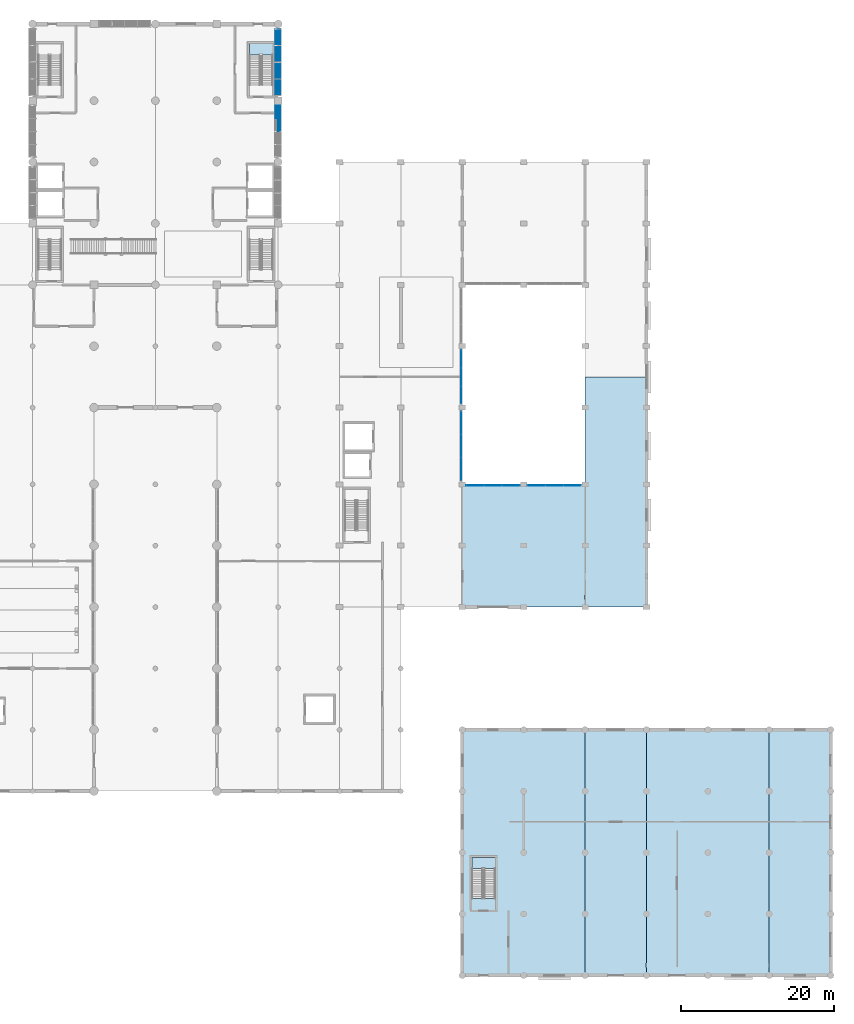
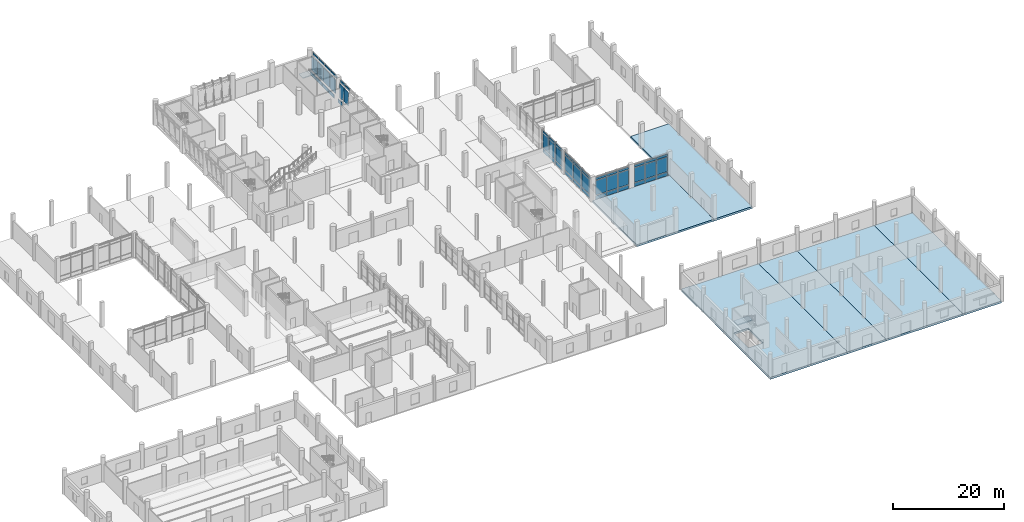
# One storey, part 19 of 42: 53 plates, 8 slabs, 8 elements without a shape of their own.
"""IFC4 building model written with IfcOpenShell, lengths in metres."""

from ifc_helpers import new_model, si_unit, direction, frame, origin, origin_2d, place, context, subcontext, project, spatial, polyline, rectangle, outline, extrude, material, layer, layer_set, type_object, element, aggregate, save


model = new_model("IFC4")

# Units and contexts
model_context = context("Model", 3, precision=1e-05, world=origin(), true_north=direction((0.0, 1.0)))
body_context = subcontext(model_context, "Body", "Model", "MODEL_VIEW")
ifc_project = project(units=[si_unit("LENGTHUNIT", "METRE"), si_unit("AREAUNIT", "SQUARE_METRE"), si_unit("VOLUMEUNIT", "CUBIC_METRE"), si_unit("PLANEANGLEUNIT", "RADIAN"), si_unit("MASSUNIT", "GRAM", prefix="KILO")], contexts=[model_context])

# Site, building, storey
site_placement = place(None, origin())
site = spatial("IfcSite", under=ifc_project, at=site_placement, CompositionType="ELEMENT")
building_placement = place(site_placement, origin())
building = spatial("IfcBuilding", under=site, at=building_placement, Name="Pecanmere Concourse Central Library", CompositionType="ELEMENT")
storey_placement = place(building_placement, origin())
storey = spatial("IfcBuildingStorey", under=building, at=storey_placement, Name="L01", CompositionType="ELEMENT", Elevation=0.0)

# Curtain wall, plates
ifc_material_1 = material(Name="Clear anodized aluminium alloy 6063-T6", Category="aluminium")
curtain_wall_type_1 = type_object("IfcCurtainWallType", Name="CW_CLOISTER_GLAZ", PredefinedType="USERDEFINED", material=ifc_material_1)
curtain_wall_1_placement = place(storey_placement, origin())
curtain_wall_1 = element("IfcCurtainWall", 1, at=curtain_wall_1_placement, inside=storey, type_object=curtain_wall_type_1, Name="Unitised Curtain Wall CW-04 L01-101", ObjectType="UNITISED CURTAIN WALL", PredefinedType="USERDEFINED")
ifc_material_2 = material(Name="White ceramic-fritted insulated spandrel glazing", Category="glass")
ifc_layer_1 = layer(ifc_material_2, 0.053955078125, Name="CWP_SPN_54")
ifc_layer_set_1 = layer_set([ifc_layer_1], Name="White ceramic-fritted insulated spandrel glazing")
plate_type_1 = type_object("IfcPlateType", Name="CWP_SPN_54", PredefinedType="CURTAIN_PANEL", material=ifc_layer_set_1)
plate_1_placement = place(storey_placement, frame((127.85009765625, 66.001708984375, 0.139892578125), z_axis=(0.0, 0.0, 1.0), x_axis=(0.0, 1.0, 0.0)))
plate_1 = element("IfcPlate", 2, at=plate_1_placement, type_object=plate_type_1, Name="CW-04 Spandrel Panel 1.1", PredefinedType="CURTAIN_PANEL", context=body_context, shape_type="SweptSolid", body=[
    extrude(rectangle(XDim=2.92333984375, YDim=0.035888671875, at=origin_2d()), origin(), (0.0, 0.0, 1.0), 0.7900390625),
])
plate_2_placement = place(storey_placement, frame((127.85009765625, 69.0, 0.139892578125), z_axis=(0.0, 0.0, 1.0), x_axis=(0.0, 1.0, 0.0)))
plate_2 = element("IfcPlate", 3, at=plate_2_placement, type_object=plate_type_1, Name="CW-04 Spandrel Panel 2.1", PredefinedType="CURTAIN_PANEL", context=body_context, shape_type="SweptSolid", body=[
    extrude(rectangle(XDim=2.953369140625, YDim=0.035888671875, at=origin_2d()), origin(), (0.0, 0.0, 1.0), 0.7900390625),
])
plate_3_placement = place(storey_placement, frame((127.85009765625, 71.998291015625, 0.139892578125), z_axis=(0.0, 0.0, 1.0), x_axis=(0.0, 1.0, 0.0)))
plate_3 = element("IfcPlate", 4, at=plate_3_placement, type_object=plate_type_1, Name="CW-04 Spandrel Panel 3.1", PredefinedType="CURTAIN_PANEL", context=body_context, shape_type="SweptSolid", body=[
    extrude(rectangle(XDim=2.92333984375, YDim=0.035888671875, at=origin_2d()), origin(), (0.0, 0.0, 1.0), 0.7900390625),
])

curtain_wall_2_placement = place(storey_placement, origin())
curtain_wall_2 = element("IfcCurtainWall", 5, at=curtain_wall_2_placement, inside=storey, type_object=curtain_wall_type_1, Name="Unitised Curtain Wall CW-04 L01-103", ObjectType="UNITISED CURTAIN WALL", PredefinedType="USERDEFINED")
plate_4_placement = place(storey_placement, frame((127.85009765625, 75.668212890625, 0.139892578125), z_axis=(0.0, 0.0, 1.0), x_axis=(0.0, 1.0, 0.0)))
plate_4 = element("IfcPlate", 6, at=plate_4_placement, type_object=plate_type_1, Name="CW-04 Spandrel Panel 1.1", PredefinedType="CURTAIN_PANEL", context=body_context, shape_type="SweptSolid", body=[
    extrude(rectangle(XDim=2.256591796875, YDim=0.035888671875, at=origin_2d()), origin(), (0.0, 0.0, 1.0), 0.7900390625),
])
plate_5_placement = place(storey_placement, frame((127.85009765625, 78.0, 0.139892578125), z_axis=(0.0, 0.0, 1.0), x_axis=(0.0, 1.0, 0.0)))
plate_5 = element("IfcPlate", 7, at=plate_5_placement, type_object=plate_type_1, Name="CW-04 Spandrel Panel 2.1", PredefinedType="CURTAIN_PANEL", context=body_context, shape_type="SweptSolid", body=[
    extrude(rectangle(XDim=2.28662109375, YDim=0.035888671875, at=origin_2d()), origin(), (0.0, 0.0, 1.0), 0.7900390625),
])
plate_6_placement = place(storey_placement, frame((127.85009765625, 80.331787109375, 0.139892578125), z_axis=(0.0, 0.0, 1.0), x_axis=(0.0, 1.0, 0.0)))
plate_6 = element("IfcPlate", 8, at=plate_6_placement, type_object=plate_type_1, Name="CW-04 Spandrel Panel 3.1", PredefinedType="CURTAIN_PANEL", context=body_context, shape_type="SweptSolid", body=[
    extrude(rectangle(XDim=2.256591796875, YDim=0.035888671875, at=origin_2d()), origin(), (0.0, 0.0, 1.0), 0.7900390625),
])

curtain_wall_3_placement = place(storey_placement, origin())
curtain_wall_3 = element("IfcCurtainWall", 9, at=curtain_wall_3_placement, inside=storey, type_object=curtain_wall_type_1, Name="Unitised Curtain Wall CW-04 L01-107", ObjectType="UNITISED CURTAIN WALL", PredefinedType="USERDEFINED")
plate_7_placement = place(storey_placement, frame((129.668212890625, 63.85009765625, 0.139892578125), z_axis=(0.0, 0.0, 1.0), x_axis=(1.0, 0.0, 0.0)))
plate_7 = element("IfcPlate", 10, at=plate_7_placement, type_object=plate_type_1, Name="CW-04 Spandrel Panel 1.1", PredefinedType="CURTAIN_PANEL", context=body_context, shape_type="SweptSolid", body=[
    extrude(rectangle(XDim=2.256591796875, YDim=0.035888671875, at=origin_2d()), origin(), (0.0, 0.0, 1.0), 0.7900390625),
])
plate_8_placement = place(storey_placement, frame((132.0, 63.85009765625, 0.139892578125), z_axis=(0.0, 0.0, 1.0), x_axis=(1.0, 0.0, 0.0)))
plate_8 = element("IfcPlate", 11, at=plate_8_placement, type_object=plate_type_1, Name="CW-04 Spandrel Panel 2.1", PredefinedType="CURTAIN_PANEL", context=body_context, shape_type="SweptSolid", body=[
    extrude(rectangle(XDim=2.28662109375, YDim=0.035888671875, at=origin_2d()), origin(), (0.0, 0.0, 1.0), 0.7900390625),
])
plate_9_placement = place(storey_placement, frame((134.331787109375, 63.85009765625, 0.139892578125), z_axis=(0.0, 0.0, 1.0), x_axis=(1.0, 0.0, 0.0)))
plate_9 = element("IfcPlate", 12, at=plate_9_placement, type_object=plate_type_1, Name="CW-04 Spandrel Panel 3.1", PredefinedType="CURTAIN_PANEL", context=body_context, shape_type="SweptSolid", body=[
    extrude(rectangle(XDim=2.256591796875, YDim=0.035888671875, at=origin_2d()), origin(), (0.0, 0.0, 1.0), 0.7900390625),
])

curtain_wall_4_placement = place(storey_placement, origin())
curtain_wall_4 = element("IfcCurtainWall", 13, at=curtain_wall_4_placement, inside=storey, type_object=curtain_wall_type_1, Name="Unitised Curtain Wall CW-04 L01-109", ObjectType="UNITISED CURTAIN WALL", PredefinedType="USERDEFINED")
plate_10_placement = place(storey_placement, frame((137.668212890625, 63.85009765625, 0.139892578125), z_axis=(0.0, 0.0, 1.0), x_axis=(1.0, 0.0, 0.0)))
plate_10 = element("IfcPlate", 14, at=plate_10_placement, type_object=plate_type_1, Name="CW-04 Spandrel Panel 1.1", PredefinedType="CURTAIN_PANEL", context=body_context, shape_type="SweptSolid", body=[
    extrude(rectangle(XDim=2.256591796875, YDim=0.035888671875, at=origin_2d()), origin(), (0.0, 0.0, 1.0), 0.7900390625),
])
plate_11_placement = place(storey_placement, frame((140.0, 63.85009765625, 0.139892578125), z_axis=(0.0, 0.0, 1.0), x_axis=(1.0, 0.0, 0.0)))
plate_11 = element("IfcPlate", 15, at=plate_11_placement, type_object=plate_type_1, Name="CW-04 Spandrel Panel 2.1", PredefinedType="CURTAIN_PANEL", context=body_context, shape_type="SweptSolid", body=[
    extrude(rectangle(XDim=2.28662109375, YDim=0.035888671875, at=origin_2d()), origin(), (0.0, 0.0, 1.0), 0.7900390625),
])
plate_12_placement = place(storey_placement, frame((142.331787109375, 63.85009765625, 0.139892578125), z_axis=(0.0, 0.0, 1.0), x_axis=(1.0, 0.0, 0.0)))
plate_12 = element("IfcPlate", 16, at=plate_12_placement, type_object=plate_type_1, Name="CW-04 Spandrel Panel 3.1", PredefinedType="CURTAIN_PANEL", context=body_context, shape_type="SweptSolid", body=[
    extrude(rectangle(XDim=2.256591796875, YDim=0.035888671875, at=origin_2d()), origin(), (0.0, 0.0, 1.0), 0.7900390625),
])

# Curtain wall, plate
ifc_material_3 = material(Name="Anodized bronze aluminium alloy 6063-T6", Category="aluminium")
curtain_wall_type_2 = type_object("IfcCurtainWallType", Name="CW_LEAN_BANDED", PredefinedType="USERDEFINED", material=ifc_material_3)
curtain_wall_5_placement = place(storey_placement, origin())
curtain_wall_5 = element("IfcCurtainWall", 17, at=curtain_wall_5_placement, inside=storey, type_object=curtain_wall_type_2, Name="Unitised Curtain Wall CW-01 L01-003", ObjectType="UNITISED CURTAIN WALL", PredefinedType="USERDEFINED")
ifc_material_4 = material(Name="White ceramic-fritted insulated spandrel glazing", Category="glass")
ifc_layer_2 = layer(ifc_material_4, 0.06396484375, Name="CWP_SPN_64")
ifc_layer_set_2 = layer_set([ifc_layer_2], Name="White ceramic-fritted insulated spandrel glazing")
plate_type_2 = type_object("IfcPlateType", Name="CWP_SPN_64", PredefinedType="CURTAIN_PANEL", material=ifc_layer_set_2)
plate_13_placement = place(storey_placement, frame((103.72607421875, 112.516357421875, 0.18017578125), z_axis=(0.0, 0.0, 1.0), x_axis=(0.0, 1.0, 0.0)))
plate_13 = element("IfcPlate", 18, at=plate_13_placement, type_object=plate_type_2, Name="CW-01 Spandrel Panel 4.1", PredefinedType="CURTAIN_PANEL", context=body_context, shape_type="SweptSolid", body=[
    extrude(rectangle(XDim=1.577392578125, YDim=0.0419921875, at=origin_2d()), origin(), (0.0, 0.0, 1.0), 0.780029296875),
])

# Curtain wall, plates
curtain_wall_6_placement = place(storey_placement, origin())
curtain_wall_6 = element("IfcCurtainWall", 19, at=curtain_wall_6_placement, inside=storey, type_object=curtain_wall_type_2, Name="Unitised Curtain Wall CW-01 L01-004", ObjectType="UNITISED CURTAIN WALL", PredefinedType="USERDEFINED")
plate_14_placement = place(storey_placement, frame((103.72607421875, 115.733642578125, 0.18017578125), z_axis=(0.0, 0.0, 1.0), x_axis=(0.0, 1.0, 0.0)))
plate_14 = element("IfcPlate", 20, at=plate_14_placement, type_object=plate_type_2, Name="CW-01 Spandrel Panel 1.1", PredefinedType="CURTAIN_PANEL", context=body_context, shape_type="SweptSolid", body=[
    extrude(rectangle(XDim=2.077392578125, YDim=0.0419921875, at=origin_2d()), origin(), (0.0, 0.0, 1.0), 0.780029296875),
])
plate_15_placement = place(storey_placement, frame((103.72607421875, 117.905029296875, 0.18017578125), z_axis=(0.0, 0.0, 1.0), x_axis=(0.0, 1.0, 0.0)))
plate_15 = element("IfcPlate", 21, at=plate_15_placement, type_object=plate_type_2, Name="CW-01 Spandrel Panel 2.1", PredefinedType="CURTAIN_PANEL", context=body_context, shape_type="SweptSolid", body=[
    extrude(rectangle(XDim=2.114990234375, YDim=0.0419921875, at=origin_2d()), origin(), (0.0, 0.0, 1.0), 0.780029296875),
])
plate_16_placement = place(storey_placement, frame((103.72607421875, 120.094970703125, 0.18017578125), z_axis=(0.0, 0.0, 1.0), x_axis=(0.0, 1.0, 0.0)))
plate_16 = element("IfcPlate", 22, at=plate_16_placement, type_object=plate_type_2, Name="CW-01 Spandrel Panel 3.1", PredefinedType="CURTAIN_PANEL", context=body_context, shape_type="SweptSolid", body=[
    extrude(rectangle(XDim=2.114990234375, YDim=0.0419921875, at=origin_2d()), origin(), (0.0, 0.0, 1.0), 0.780029296875),
])
plate_17_placement = place(storey_placement, frame((103.72607421875, 122.266357421875, 0.18017578125), z_axis=(0.0, 0.0, 1.0), x_axis=(0.0, 1.0, 0.0)))
plate_17 = element("IfcPlate", 23, at=plate_17_placement, type_object=plate_type_2, Name="CW-01 Spandrel Panel 4.1", PredefinedType="CURTAIN_PANEL", context=body_context, shape_type="SweptSolid", body=[
    extrude(rectangle(XDim=2.077392578125, YDim=0.0419921875, at=origin_2d()), origin(), (0.0, 0.0, 1.0), 0.780029296875),
])

# Plate
ifc_material_5 = material(Name="Low-iron clear insulated glazing", Category="glass")
ifc_layer_3 = layer(ifc_material_5, 0.035888671875, Name="CWP_VIS_36")
ifc_layer_set_3 = layer_set([ifc_layer_3], Name="Low-iron clear insulated glazing")
plate_type_3 = type_object("IfcPlateType", Name="CWP_VIS_36", PredefinedType="CURTAIN_PANEL", material=ifc_layer_set_3)
plate_18_placement = place(storey_placement, frame((127.85009765625, 66.001708984375, 1.070068359375), z_axis=(0.0, 0.0, 1.0), x_axis=(0.0, 1.0, 0.0)))
plate_18 = element("IfcPlate", 24, at=plate_18_placement, type_object=plate_type_3, Name="CW-04 Vision Panel 1.2", PredefinedType="CURTAIN_PANEL", context=body_context, shape_type="SweptSolid", body=[
    extrude(rectangle(XDim=2.92333984375, YDim=0.035888671875, at=origin_2d()), origin(), (0.0, 0.0, 1.0), 3.18994140625),
])

plate_19_placement = place(storey_placement, frame((127.85009765625, 66.001708984375, 4.39990234375), z_axis=(0.0, 0.0, 1.0), x_axis=(0.0, 1.0, 0.0)))
plate_19 = element("IfcPlate", 25, at=plate_19_placement, type_object=plate_type_3, Name="CW-04 Vision Panel 1.3", PredefinedType="CURTAIN_PANEL", context=body_context, shape_type="SweptSolid", body=[
    extrude(rectangle(XDim=2.92333984375, YDim=0.035888671875, at=origin_2d()), origin(), (0.0, 0.0, 1.0), 0.489990234375),
])

plate_20_placement = place(storey_placement, frame((127.85009765625, 69.0, 1.070068359375), z_axis=(0.0, 0.0, 1.0), x_axis=(0.0, 1.0, 0.0)))
plate_20 = element("IfcPlate", 26, at=plate_20_placement, type_object=plate_type_3, Name="CW-04 Vision Panel 2.2", PredefinedType="CURTAIN_PANEL", context=body_context, shape_type="SweptSolid", body=[
    extrude(rectangle(XDim=2.953369140625, YDim=0.035888671875, at=origin_2d()), origin(), (0.0, 0.0, 1.0), 3.18994140625),
])

plate_21_placement = place(storey_placement, frame((127.85009765625, 69.0, 4.39990234375), z_axis=(0.0, 0.0, 1.0), x_axis=(0.0, 1.0, 0.0)))
plate_21 = element("IfcPlate", 27, at=plate_21_placement, type_object=plate_type_3, Name="CW-04 Vision Panel 2.3", PredefinedType="CURTAIN_PANEL", context=body_context, shape_type="SweptSolid", body=[
    extrude(rectangle(XDim=2.953369140625, YDim=0.035888671875, at=origin_2d()), origin(), (0.0, 0.0, 1.0), 0.489990234375),
])

plate_22_placement = place(storey_placement, frame((127.85009765625, 71.998291015625, 1.070068359375), z_axis=(0.0, 0.0, 1.0), x_axis=(0.0, 1.0, 0.0)))
plate_22 = element("IfcPlate", 28, at=plate_22_placement, type_object=plate_type_3, Name="CW-04 Vision Panel 3.2", PredefinedType="CURTAIN_PANEL", context=body_context, shape_type="SweptSolid", body=[
    extrude(rectangle(XDim=2.92333984375, YDim=0.035888671875, at=origin_2d()), origin(), (0.0, 0.0, 1.0), 3.18994140625),
])

plate_23_placement = place(storey_placement, frame((127.85009765625, 71.998291015625, 4.39990234375), z_axis=(0.0, 0.0, 1.0), x_axis=(0.0, 1.0, 0.0)))
plate_23 = element("IfcPlate", 29, at=plate_23_placement, type_object=plate_type_3, Name="CW-04 Vision Panel 3.3", PredefinedType="CURTAIN_PANEL", context=body_context, shape_type="SweptSolid", body=[
    extrude(rectangle(XDim=2.92333984375, YDim=0.035888671875, at=origin_2d()), origin(), (0.0, 0.0, 1.0), 0.489990234375),
])

aggregate(curtain_wall_1, [plate_1, plate_18, plate_19, plate_2, plate_20, plate_21, plate_3, plate_22, plate_23])

plate_24_placement = place(storey_placement, frame((127.85009765625, 75.668212890625, 1.070068359375), z_axis=(0.0, 0.0, 1.0), x_axis=(0.0, 1.0, 0.0)))
plate_24 = element("IfcPlate", 30, at=plate_24_placement, type_object=plate_type_3, Name="CW-04 Vision Panel 1.2", PredefinedType="CURTAIN_PANEL", context=body_context, shape_type="SweptSolid", body=[
    extrude(rectangle(XDim=2.256591796875, YDim=0.035888671875, at=origin_2d()), origin(), (0.0, 0.0, 1.0), 3.18994140625),
])

plate_25_placement = place(storey_placement, frame((127.85009765625, 75.668212890625, 4.39990234375), z_axis=(0.0, 0.0, 1.0), x_axis=(0.0, 1.0, 0.0)))
plate_25 = element("IfcPlate", 31, at=plate_25_placement, type_object=plate_type_3, Name="CW-04 Vision Panel 1.3", PredefinedType="CURTAIN_PANEL", context=body_context, shape_type="SweptSolid", body=[
    extrude(rectangle(XDim=2.256591796875, YDim=0.035888671875, at=origin_2d()), origin(), (0.0, 0.0, 1.0), 0.489990234375),
])

plate_26_placement = place(storey_placement, frame((127.85009765625, 78.0, 1.070068359375), z_axis=(0.0, 0.0, 1.0), x_axis=(0.0, 1.0, 0.0)))
plate_26 = element("IfcPlate", 32, at=plate_26_placement, type_object=plate_type_3, Name="CW-04 Vision Panel 2.2", PredefinedType="CURTAIN_PANEL", context=body_context, shape_type="SweptSolid", body=[
    extrude(rectangle(XDim=2.28662109375, YDim=0.035888671875, at=origin_2d()), origin(), (0.0, 0.0, 1.0), 3.18994140625),
])

plate_27_placement = place(storey_placement, frame((127.85009765625, 78.0, 4.39990234375), z_axis=(0.0, 0.0, 1.0), x_axis=(0.0, 1.0, 0.0)))
plate_27 = element("IfcPlate", 33, at=plate_27_placement, type_object=plate_type_3, Name="CW-04 Vision Panel 2.3", PredefinedType="CURTAIN_PANEL", context=body_context, shape_type="SweptSolid", body=[
    extrude(rectangle(XDim=2.28662109375, YDim=0.035888671875, at=origin_2d()), origin(), (0.0, 0.0, 1.0), 0.489990234375),
])

plate_28_placement = place(storey_placement, frame((127.85009765625, 80.331787109375, 1.070068359375), z_axis=(0.0, 0.0, 1.0), x_axis=(0.0, 1.0, 0.0)))
plate_28 = element("IfcPlate", 34, at=plate_28_placement, type_object=plate_type_3, Name="CW-04 Vision Panel 3.2", PredefinedType="CURTAIN_PANEL", context=body_context, shape_type="SweptSolid", body=[
    extrude(rectangle(XDim=2.256591796875, YDim=0.035888671875, at=origin_2d()), origin(), (0.0, 0.0, 1.0), 3.18994140625),
])

plate_29_placement = place(storey_placement, frame((127.85009765625, 80.331787109375, 4.39990234375), z_axis=(0.0, 0.0, 1.0), x_axis=(0.0, 1.0, 0.0)))
plate_29 = element("IfcPlate", 35, at=plate_29_placement, type_object=plate_type_3, Name="CW-04 Vision Panel 3.3", PredefinedType="CURTAIN_PANEL", context=body_context, shape_type="SweptSolid", body=[
    extrude(rectangle(XDim=2.256591796875, YDim=0.035888671875, at=origin_2d()), origin(), (0.0, 0.0, 1.0), 0.489990234375),
])

aggregate(curtain_wall_2, [plate_4, plate_24, plate_25, plate_5, plate_26, plate_27, plate_6, plate_28, plate_29])

plate_30_placement = place(storey_placement, frame((129.668212890625, 63.85009765625, 1.070068359375), z_axis=(0.0, 0.0, 1.0), x_axis=(1.0, 0.0, 0.0)))
plate_30 = element("IfcPlate", 36, at=plate_30_placement, type_object=plate_type_3, Name="CW-04 Vision Panel 1.2", PredefinedType="CURTAIN_PANEL", context=body_context, shape_type="SweptSolid", body=[
    extrude(rectangle(XDim=2.256591796875, YDim=0.035888671875, at=origin_2d()), origin(), (0.0, 0.0, 1.0), 3.18994140625),
])

plate_31_placement = place(storey_placement, frame((129.668212890625, 63.85009765625, 4.39990234375), z_axis=(0.0, 0.0, 1.0), x_axis=(1.0, 0.0, 0.0)))
plate_31 = element("IfcPlate", 37, at=plate_31_placement, type_object=plate_type_3, Name="CW-04 Vision Panel 1.3", PredefinedType="CURTAIN_PANEL", context=body_context, shape_type="SweptSolid", body=[
    extrude(rectangle(XDim=2.256591796875, YDim=0.035888671875, at=origin_2d()), origin(), (0.0, 0.0, 1.0), 0.489990234375),
])

plate_32_placement = place(storey_placement, frame((132.0, 63.85009765625, 1.070068359375), z_axis=(0.0, 0.0, 1.0), x_axis=(1.0, 0.0, 0.0)))
plate_32 = element("IfcPlate", 38, at=plate_32_placement, type_object=plate_type_3, Name="CW-04 Vision Panel 2.2", PredefinedType="CURTAIN_PANEL", context=body_context, shape_type="SweptSolid", body=[
    extrude(rectangle(XDim=2.28662109375, YDim=0.035888671875, at=origin_2d()), origin(), (0.0, 0.0, 1.0), 3.18994140625),
])

plate_33_placement = place(storey_placement, frame((132.0, 63.85009765625, 4.39990234375), z_axis=(0.0, 0.0, 1.0), x_axis=(1.0, 0.0, 0.0)))
plate_33 = element("IfcPlate", 39, at=plate_33_placement, type_object=plate_type_3, Name="CW-04 Vision Panel 2.3", PredefinedType="CURTAIN_PANEL", context=body_context, shape_type="SweptSolid", body=[
    extrude(rectangle(XDim=2.28662109375, YDim=0.035888671875, at=origin_2d()), origin(), (0.0, 0.0, 1.0), 0.489990234375),
])

plate_34_placement = place(storey_placement, frame((134.331787109375, 63.85009765625, 1.070068359375), z_axis=(0.0, 0.0, 1.0), x_axis=(1.0, 0.0, 0.0)))
plate_34 = element("IfcPlate", 40, at=plate_34_placement, type_object=plate_type_3, Name="CW-04 Vision Panel 3.2", PredefinedType="CURTAIN_PANEL", context=body_context, shape_type="SweptSolid", body=[
    extrude(rectangle(XDim=2.256591796875, YDim=0.035888671875, at=origin_2d()), origin(), (0.0, 0.0, 1.0), 3.18994140625),
])

plate_35_placement = place(storey_placement, frame((134.331787109375, 63.85009765625, 4.39990234375), z_axis=(0.0, 0.0, 1.0), x_axis=(1.0, 0.0, 0.0)))
plate_35 = element("IfcPlate", 41, at=plate_35_placement, type_object=plate_type_3, Name="CW-04 Vision Panel 3.3", PredefinedType="CURTAIN_PANEL", context=body_context, shape_type="SweptSolid", body=[
    extrude(rectangle(XDim=2.256591796875, YDim=0.035888671875, at=origin_2d()), origin(), (0.0, 0.0, 1.0), 0.489990234375),
])

aggregate(curtain_wall_3, [plate_7, plate_30, plate_31, plate_8, plate_32, plate_33, plate_9, plate_34, plate_35])

plate_36_placement = place(storey_placement, frame((137.668212890625, 63.85009765625, 1.070068359375), z_axis=(0.0, 0.0, 1.0), x_axis=(1.0, 0.0, 0.0)))
plate_36 = element("IfcPlate", 42, at=plate_36_placement, type_object=plate_type_3, Name="CW-04 Vision Panel 1.2", PredefinedType="CURTAIN_PANEL", context=body_context, shape_type="SweptSolid", body=[
    extrude(rectangle(XDim=2.256591796875, YDim=0.035888671875, at=origin_2d()), origin(), (0.0, 0.0, 1.0), 3.18994140625),
])

plate_37_placement = place(storey_placement, frame((137.668212890625, 63.85009765625, 4.39990234375), z_axis=(0.0, 0.0, 1.0), x_axis=(1.0, 0.0, 0.0)))
plate_37 = element("IfcPlate", 43, at=plate_37_placement, type_object=plate_type_3, Name="CW-04 Vision Panel 1.3", PredefinedType="CURTAIN_PANEL", context=body_context, shape_type="SweptSolid", body=[
    extrude(rectangle(XDim=2.256591796875, YDim=0.035888671875, at=origin_2d()), origin(), (0.0, 0.0, 1.0), 0.489990234375),
])

plate_38_placement = place(storey_placement, frame((140.0, 63.85009765625, 1.070068359375), z_axis=(0.0, 0.0, 1.0), x_axis=(1.0, 0.0, 0.0)))
plate_38 = element("IfcPlate", 44, at=plate_38_placement, type_object=plate_type_3, Name="CW-04 Vision Panel 2.2", PredefinedType="CURTAIN_PANEL", context=body_context, shape_type="SweptSolid", body=[
    extrude(rectangle(XDim=2.28662109375, YDim=0.035888671875, at=origin_2d()), origin(), (0.0, 0.0, 1.0), 3.18994140625),
])

plate_39_placement = place(storey_placement, frame((140.0, 63.85009765625, 4.39990234375), z_axis=(0.0, 0.0, 1.0), x_axis=(1.0, 0.0, 0.0)))
plate_39 = element("IfcPlate", 45, at=plate_39_placement, type_object=plate_type_3, Name="CW-04 Vision Panel 2.3", PredefinedType="CURTAIN_PANEL", context=body_context, shape_type="SweptSolid", body=[
    extrude(rectangle(XDim=2.28662109375, YDim=0.035888671875, at=origin_2d()), origin(), (0.0, 0.0, 1.0), 0.489990234375),
])

plate_40_placement = place(storey_placement, frame((142.331787109375, 63.85009765625, 1.070068359375), z_axis=(0.0, 0.0, 1.0), x_axis=(1.0, 0.0, 0.0)))
plate_40 = element("IfcPlate", 46, at=plate_40_placement, type_object=plate_type_3, Name="CW-04 Vision Panel 3.2", PredefinedType="CURTAIN_PANEL", context=body_context, shape_type="SweptSolid", body=[
    extrude(rectangle(XDim=2.256591796875, YDim=0.035888671875, at=origin_2d()), origin(), (0.0, 0.0, 1.0), 3.18994140625),
])

plate_41_placement = place(storey_placement, frame((142.331787109375, 63.85009765625, 4.39990234375), z_axis=(0.0, 0.0, 1.0), x_axis=(1.0, 0.0, 0.0)))
plate_41 = element("IfcPlate", 47, at=plate_41_placement, type_object=plate_type_3, Name="CW-04 Vision Panel 3.3", PredefinedType="CURTAIN_PANEL", context=body_context, shape_type="SweptSolid", body=[
    extrude(rectangle(XDim=2.256591796875, YDim=0.035888671875, at=origin_2d()), origin(), (0.0, 0.0, 1.0), 0.489990234375),
])

aggregate(curtain_wall_4, [plate_10, plate_36, plate_37, plate_11, plate_38, plate_39, plate_12, plate_40, plate_41])

ifc_material_6 = material(Name="Low-iron clear insulated glazing", Category="glass")
ifc_layer_4 = layer(ifc_material_6, 0.0419921875, Name="CWP_VIS_42")
ifc_layer_set_4 = layer_set([ifc_layer_4], Name="Low-iron clear insulated glazing")
plate_type_4 = type_object("IfcPlateType", Name="CWP_VIS_42", PredefinedType="CURTAIN_PANEL", material=ifc_layer_set_4)
plate_42_placement = place(storey_placement, frame((104.005615234375, 110.844970703125, 1.14013671875), z_axis=(0.0, 0.0, 1.0), x_axis=(0.0, 1.0, 0.0)))
plate_42 = element("IfcPlate", 48, at=plate_42_placement, type_object=plate_type_4, Name="CW-01 Vision Panel 3.2", PredefinedType="CURTAIN_PANEL", context=body_context, shape_type="SweptSolid", body=[
    extrude(rectangle(XDim=1.614990234375, YDim=0.0419921875, at=origin_2d()), origin(), (0.0, 0.0, 1.0), 3.050048828125),
])

plate_43_placement = place(storey_placement, frame((104.26513671875, 110.844970703125, 4.3701171875), z_axis=(0.0, 0.0, 1.0), x_axis=(0.0, 1.0, 0.0)))
plate_43 = element("IfcPlate", 49, at=plate_43_placement, type_object=plate_type_4, Name="CW-01 Vision Panel 3.3", PredefinedType="CURTAIN_PANEL", context=body_context, shape_type="SweptSolid", body=[
    extrude(rectangle(XDim=1.614990234375, YDim=0.0419921875, at=origin_2d()), origin(), (0.0, 0.0, 1.0), 0.47998046875),
])

plate_44_placement = place(storey_placement, frame((104.005615234375, 112.516357421875, 1.14013671875), z_axis=(0.0, 0.0, 1.0), x_axis=(0.0, 1.0, 0.0)))
plate_44 = element("IfcPlate", 50, at=plate_44_placement, type_object=plate_type_4, Name="CW-01 Vision Panel 4.2", PredefinedType="CURTAIN_PANEL", context=body_context, shape_type="SweptSolid", body=[
    extrude(rectangle(XDim=1.577392578125, YDim=0.0419921875, at=origin_2d()), origin(), (0.0, 0.0, 1.0), 3.050048828125),
])

plate_45_placement = place(storey_placement, frame((104.26513671875, 112.516357421875, 4.3701171875), z_axis=(0.0, 0.0, 1.0), x_axis=(0.0, 1.0, 0.0)))
plate_45 = element("IfcPlate", 51, at=plate_45_placement, type_object=plate_type_4, Name="CW-01 Vision Panel 4.3", PredefinedType="CURTAIN_PANEL", context=body_context, shape_type="SweptSolid", body=[
    extrude(rectangle(XDim=1.577392578125, YDim=0.0419921875, at=origin_2d()), origin(), (0.0, 0.0, 1.0), 0.47998046875),
])

aggregate(curtain_wall_5, [plate_42, plate_43, plate_13, plate_44, plate_45])

plate_46_placement = place(storey_placement, frame((104.005615234375, 115.733642578125, 1.14013671875), z_axis=(0.0, 0.0, 1.0), x_axis=(0.0, 1.0, 0.0)))
plate_46 = element("IfcPlate", 52, at=plate_46_placement, type_object=plate_type_4, Name="CW-01 Vision Panel 1.2", PredefinedType="CURTAIN_PANEL", context=body_context, shape_type="SweptSolid", body=[
    extrude(rectangle(XDim=2.077392578125, YDim=0.0419921875, at=origin_2d()), origin(), (0.0, 0.0, 1.0), 3.050048828125),
])

plate_47_placement = place(storey_placement, frame((104.26513671875, 115.733642578125, 4.3701171875), z_axis=(0.0, 0.0, 1.0), x_axis=(0.0, 1.0, 0.0)))
plate_47 = element("IfcPlate", 53, at=plate_47_placement, type_object=plate_type_4, Name="CW-01 Vision Panel 1.3", PredefinedType="CURTAIN_PANEL", context=body_context, shape_type="SweptSolid", body=[
    extrude(rectangle(XDim=2.077392578125, YDim=0.0419921875, at=origin_2d()), origin(), (0.0, 0.0, 1.0), 0.47998046875),
])

plate_48_placement = place(storey_placement, frame((104.005615234375, 117.905029296875, 1.14013671875), z_axis=(0.0, 0.0, 1.0), x_axis=(0.0, 1.0, 0.0)))
plate_48 = element("IfcPlate", 54, at=plate_48_placement, type_object=plate_type_4, Name="CW-01 Vision Panel 2.2", PredefinedType="CURTAIN_PANEL", context=body_context, shape_type="SweptSolid", body=[
    extrude(rectangle(XDim=2.114990234375, YDim=0.0419921875, at=origin_2d()), origin(), (0.0, 0.0, 1.0), 3.050048828125),
])

plate_49_placement = place(storey_placement, frame((104.26513671875, 117.905029296875, 4.3701171875), z_axis=(0.0, 0.0, 1.0), x_axis=(0.0, 1.0, 0.0)))
plate_49 = element("IfcPlate", 55, at=plate_49_placement, type_object=plate_type_4, Name="CW-01 Vision Panel 2.3", PredefinedType="CURTAIN_PANEL", context=body_context, shape_type="SweptSolid", body=[
    extrude(rectangle(XDim=2.114990234375, YDim=0.0419921875, at=origin_2d()), origin(), (0.0, 0.0, 1.0), 0.47998046875),
])

plate_50_placement = place(storey_placement, frame((104.005615234375, 120.094970703125, 1.14013671875), z_axis=(0.0, 0.0, 1.0), x_axis=(0.0, 1.0, 0.0)))
plate_50 = element("IfcPlate", 56, at=plate_50_placement, type_object=plate_type_4, Name="CW-01 Vision Panel 3.2", PredefinedType="CURTAIN_PANEL", context=body_context, shape_type="SweptSolid", body=[
    extrude(rectangle(XDim=2.114990234375, YDim=0.0419921875, at=origin_2d()), origin(), (0.0, 0.0, 1.0), 3.050048828125),
])

plate_51_placement = place(storey_placement, frame((104.26513671875, 120.094970703125, 4.3701171875), z_axis=(0.0, 0.0, 1.0), x_axis=(0.0, 1.0, 0.0)))
plate_51 = element("IfcPlate", 57, at=plate_51_placement, type_object=plate_type_4, Name="CW-01 Vision Panel 3.3", PredefinedType="CURTAIN_PANEL", context=body_context, shape_type="SweptSolid", body=[
    extrude(rectangle(XDim=2.114990234375, YDim=0.0419921875, at=origin_2d()), origin(), (0.0, 0.0, 1.0), 0.47998046875),
])

plate_52_placement = place(storey_placement, frame((104.005615234375, 122.266357421875, 1.14013671875), z_axis=(0.0, 0.0, 1.0), x_axis=(0.0, 1.0, 0.0)))
plate_52 = element("IfcPlate", 58, at=plate_52_placement, type_object=plate_type_4, Name="CW-01 Vision Panel 4.2", PredefinedType="CURTAIN_PANEL", context=body_context, shape_type="SweptSolid", body=[
    extrude(rectangle(XDim=2.077392578125, YDim=0.0419921875, at=origin_2d()), origin(), (0.0, 0.0, 1.0), 3.050048828125),
])

plate_53_placement = place(storey_placement, frame((104.26513671875, 122.266357421875, 4.3701171875), z_axis=(0.0, 0.0, 1.0), x_axis=(0.0, 1.0, 0.0)))
plate_53 = element("IfcPlate", 59, at=plate_53_placement, type_object=plate_type_4, Name="CW-01 Vision Panel 4.3", PredefinedType="CURTAIN_PANEL", context=body_context, shape_type="SweptSolid", body=[
    extrude(rectangle(XDim=2.077392578125, YDim=0.0419921875, at=origin_2d()), origin(), (0.0, 0.0, 1.0), 0.47998046875),
])

aggregate(curtain_wall_6, [plate_14, plate_46, plate_47, plate_15, plate_48, plate_49, plate_16, plate_50, plate_51, plate_17, plate_52, plate_53])

# Slabs
ifc_material_7 = material(Name="Concrete C35/45", Category="concrete")
ifc_layer_5 = layer(ifc_material_7, 0.419921875, Name="SLAB_GRADE_420")
ifc_layer_set_5 = layer_set([ifc_layer_5], Name="Concrete C35/45")
slab_type_1 = type_object("IfcSlabType", Name="SLAB_GRADE_420", PredefinedType="FLOOR", material=ifc_layer_set_5)
slab_1_placement = place(storey_placement, frame((0.0, 0.0, -0.419921875)))
element("IfcSlab", 60, at=slab_1_placement, inside=storey, type_object=slab_type_1, Name="Floor Slab V2 L01-040", PredefinedType="FLOOR", context=body_context, shape_type="SweptSolid", body=[
    extrude(outline(polyline([(128.0, 48.0), (128.0, 64.0), (144.0, 64.0), (144.0, 49.60009765625), (143.919921875, 49.60009765625), (143.919921875, 49.0), (144.0, 49.0), (144.0, 48.0), (128.0, 48.0)])), origin(), (0.0, 0.0, 1.0), 0.419921875),
])
slab_2_placement = place(storey_placement, frame((0.0, 0.0, -0.419921875)))
element("IfcSlab", 61, at=slab_2_placement, inside=storey, type_object=slab_type_1, Name="Floor Slab V2 L01-042", PredefinedType="FLOOR", context=body_context, shape_type="SweptSolid", body=[
    extrude(outline(polyline([(144.0, 48.0), (144.0, 64.0), (144.0, 78.0), (152.0, 78.0), (152.0, 48.0), (144.0, 48.0)])), origin(), (0.0, 0.0, 1.0), 0.419921875),
])
slab_3_placement = place(storey_placement, frame((0.0, 0.0, -0.419921875)))
element("IfcSlab", 62, at=slab_3_placement, inside=storey, type_object=slab_type_1, Name="Floor Slab V5 L01-056", PredefinedType="FLOOR", context=body_context, shape_type="SweptSolid", body=[
    extrude(outline(polyline([(144.0, 0.0), (128.0, 0.0), (128.0, 32.0), (144.0, 32.0), (144.0, 0.0)]), holes=[polyline([(132.300048828125, 15.3701171875), (129.239990234375, 15.3701171875), (129.239990234375, 10.030029296875), (132.300048828125, 10.030029296875), (132.300048828125, 15.3701171875)])]), origin(), (0.0, 0.0, 1.0), 0.419921875),
])
slab_4_placement = place(storey_placement, frame((0.0, 0.0, -0.419921875)))
element("IfcSlab", 63, at=slab_4_placement, inside=storey, type_object=slab_type_1, Name="Floor Slab V5 L01-057", PredefinedType="FLOOR", context=body_context, shape_type="SweptSolid", body=[
    extrude(outline(polyline([(144.0, 32.0), (152.0, 32.0), (152.0, 1.60009765625), (151.919921875, 1.60009765625), (151.919921875, 1.0), (152.0, 1.0), (152.0, 0.0), (144.0, 0.0), (144.0, 32.0)])), origin(), (0.0, 0.0, 1.0), 0.419921875),
])
slab_5_placement = place(storey_placement, frame((0.0, 0.0, -0.419921875)))
element("IfcSlab", 64, at=slab_5_placement, inside=storey, type_object=slab_type_1, Name="Floor Slab V5 L01-058", PredefinedType="FLOOR", context=body_context, shape_type="SweptSolid", body=[
    extrude(outline(polyline([(152.0, 32.0), (168.0, 32.0), (168.0, 1.60009765625), (167.919921875, 1.60009765625), (167.919921875, 1.0), (168.0, 1.0), (168.0, 0.0), (152.0, 0.0), (152.0, 32.0)])), origin(), (0.0, 0.0, 1.0), 0.419921875),
])
slab_6_placement = place(storey_placement, frame((0.0, 0.0, -0.419921875)))
element("IfcSlab", 65, at=slab_6_placement, inside=storey, type_object=slab_type_1, Name="Floor Slab V5 L01-059", PredefinedType="FLOOR", context=body_context, shape_type="SweptSolid", body=[
    extrude(outline(polyline([(168.0, 32.0), (176.0, 32.0), (176.0, 1.60009765625), (175.919921875, 1.60009765625), (175.919921875, 1.0), (176.0, 1.0), (176.0, 0.0), (168.0, 0.0), (168.0, 32.0)])), origin(), (0.0, 0.0, 1.0), 0.419921875),
])

# Stair, slab
ifc_material_8 = material(Name="Concrete C35/45", Category="concrete")
stair_type_1 = type_object("IfcStairType", Name="STAIR_TYPE_ST-04-1800", PredefinedType="USERDEFINED", material=ifc_material_8)
stair_1_placement = place(storey_placement, origin())
stair_1 = element("IfcStair", 66, at=stair_1_placement, inside=storey, type_object=stair_type_1, Name="L01 Protected Stair ST-04", ObjectType="TWO_RETURN_STAIR", PredefinedType="USERDEFINED")
ifc_material_9 = material(Name="Concrete C35/45", Category="concrete")
ifc_layer_6 = layer(ifc_material_9, 0.199951171875, Name="SLAB_LANDING_200")
ifc_layer_set_6 = layer_set([ifc_layer_6], Name="Concrete C35/45")
slab_type_2 = type_object("IfcSlabType", Name="SLAB_LANDING_200", PredefinedType="LANDING", material=ifc_layer_set_6)
slab_7_placement = place(storey_placement, frame((0.0, 0.0, 2.5)))
slab_7 = element("IfcSlab", 67, at=slab_7_placement, type_object=slab_type_2, Name="ST-04-1800 landing 1", PredefinedType="LANDING", context=body_context, shape_type="SweptSolid", body=[
    extrude(outline(polyline([(103.300048828125, 119.969970703125), (103.300048828125, 121.419921875), (100.239990234375, 121.419921875), (100.239990234375, 119.969970703125), (103.300048828125, 119.969970703125)])), origin(), (0.0, 0.0, 1.0), 0.199951171875),
])
aggregate(stair_1, [slab_7])

ifc_material_10 = material(Name="Concrete C35/45", Category="concrete")
stair_type_2 = type_object("IfcStairType", Name="STAIR_TYPE_ST-08-1800", PredefinedType="USERDEFINED", material=ifc_material_10)
stair_2_placement = place(storey_placement, origin())
stair_2 = element("IfcStair", 68, at=stair_2_placement, inside=storey, type_object=stair_type_2, Name="L01 Protected Stair ST-08", ObjectType="TWO_RETURN_STAIR", PredefinedType="USERDEFINED")
slab_8_placement = place(storey_placement, frame((0.0, 0.0, 2.5)))
slab_8 = element("IfcSlab", 69, at=slab_8_placement, type_object=slab_type_2, Name="ST-08-1800 landing 1", PredefinedType="LANDING", context=body_context, shape_type="SweptSolid", body=[
    extrude(outline(polyline([(132.300048828125, 13.919921875), (132.300048828125, 15.3701171875), (129.239990234375, 15.3701171875), (129.239990234375, 13.919921875), (132.300048828125, 13.919921875)])), origin(), (0.0, 0.0, 1.0), 0.199951171875),
])
aggregate(stair_2, [slab_8])

save(model, "model.ifc")
